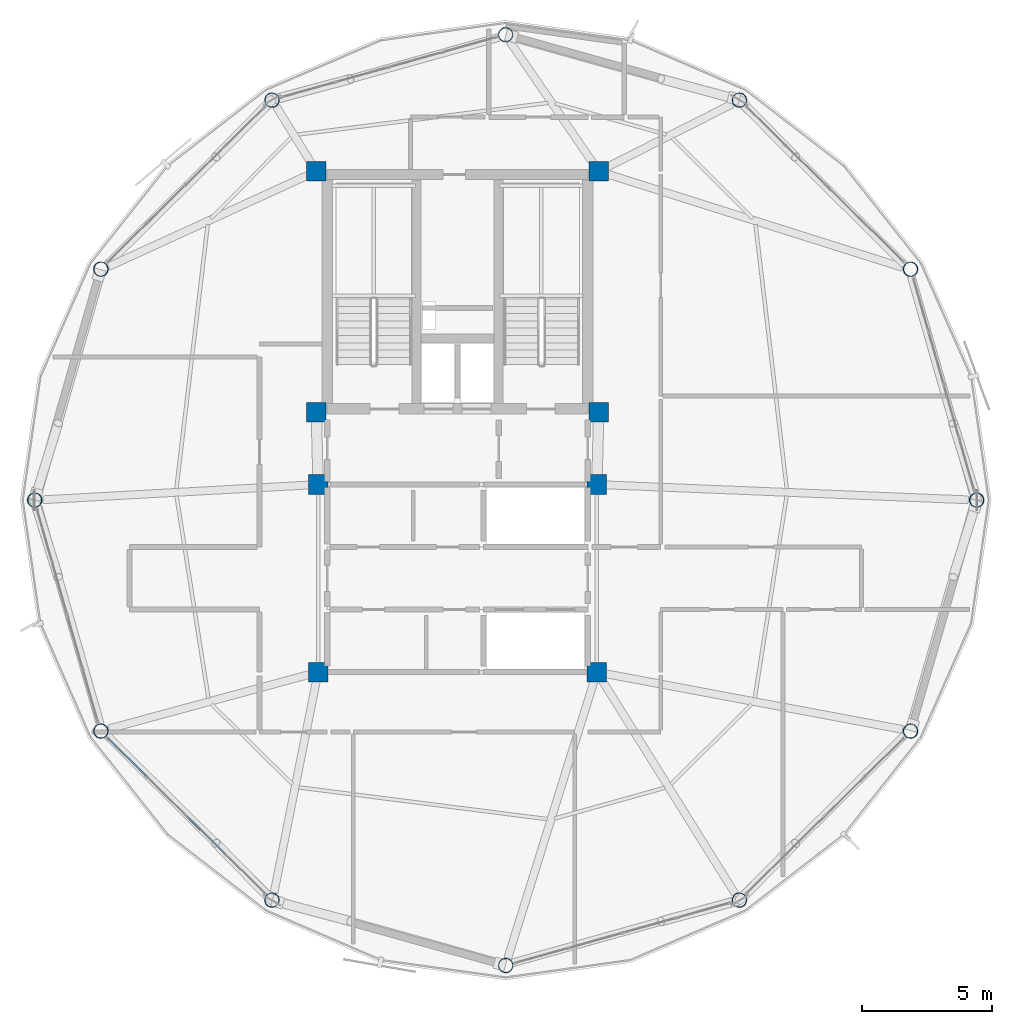
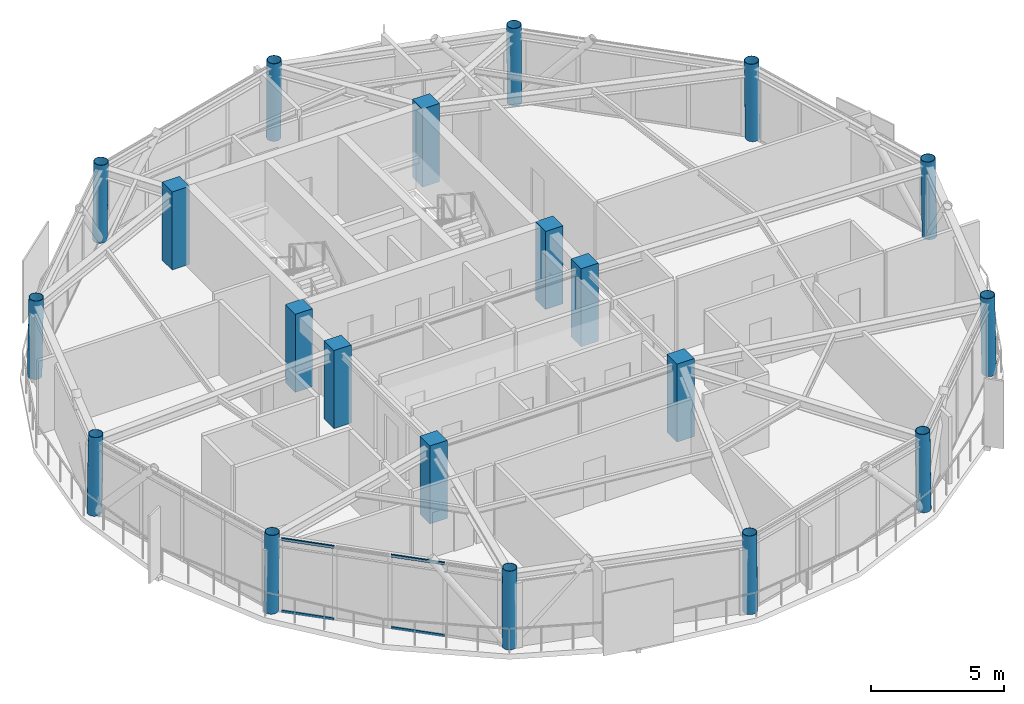
# One storey, part 1 of 26: 20 columns, 4 members, 1 element without a shape of its own.
"""IFC4 building model written with IfcOpenShell, lengths in metres."""

from ifc_helpers import new_model, si_unit, direction, frame, origin, origin_2d, place, context, subcontext, project, spatial, rectangle, hollow_rectangle, hollow_circle, extrude, material, layer, layer_set, material_profile, profile_set, type_object, element, aggregate, save


model = new_model("IFC4")

# Units and contexts
model_context = context("Model", 3, precision=1e-05, world=origin(), true_north=direction((0.0, 1.0)))
body_context = subcontext(model_context, "Body", "Model", "MODEL_VIEW")
ifc_project = project(units=[si_unit("LENGTHUNIT", "METRE"), si_unit("AREAUNIT", "SQUARE_METRE"), si_unit("VOLUMEUNIT", "CUBIC_METRE"), si_unit("PLANEANGLEUNIT", "RADIAN"), si_unit("MASSUNIT", "GRAM", prefix="KILO")], contexts=[model_context])

# Site, building, storey
site_placement = place(None, origin())
site = spatial("IfcSite", under=ifc_project, at=site_placement, CompositionType="ELEMENT")
building_placement = place(site_placement, origin())
building = spatial("IfcBuilding", under=site, at=building_placement, Name="Varnakorn Sky Granary", CompositionType="ELEMENT")
storey_placement = place(building_placement, frame((0.0, 0.0, 270.60009765625)))
storey = spatial("IfcBuildingStorey", under=building, at=storey_placement, Name="L69", CompositionType="ELEMENT", Elevation=270.60009765625)

# Columns
ifc_material_1 = material(Name="Steel S460M", Category="steel")
ifc_material_profile_1 = material_profile(ifc_material_1, hollow_circle(Radius=0.279541015625, WallThickness=0.02001953125, at=origin_2d()), Name="CHS 559x20")
ifc_profile_set_1 = profile_set([ifc_material_profile_1], Name="Steel S460M")
column_type_1 = type_object("IfcColumnType", Name="COL-DC-Z5", PredefinedType="COLUMN", material=ifc_profile_set_1)
column_1_placement = place(storey_placement, frame((22.93896484375, 0.0, 0.0), z_axis=(-0.018981760075, 0.0, 0.999819830162), x_axis=(0.0, -1.0, 0.0)))
element("IfcColumn", 1, at=column_1_placement, inside=storey, type_object=column_type_1, Name="Drum Perimeter Column DC01 L69", PredefinedType="COLUMN", context=body_context, shape_type="SweptSolid", body=[
    extrude(hollow_circle(Radius=0.279541015625, WallThickness=0.02001953125, at=origin_2d()), origin(), (0.0, 0.0, 1.0), 3.57568359375),
])
column_2_placement = place(storey_placement, frame((20.398681640625, 8.866943359375, 0.0), z_axis=(-0.01652422812, -0.004711453472, 0.999852365148), x_axis=(0.274196237732, -0.961673761321, 0.0)))
element("IfcColumn", 2, at=column_2_placement, inside=storey, type_object=column_type_1, Name="Drum Perimeter Column DC02 L69", PredefinedType="COLUMN", context=body_context, shape_type="SweptSolid", body=[
    extrude(hollow_circle(Radius=0.279541015625, WallThickness=0.02001953125, at=origin_2d()), origin(), (0.0, 0.0, 1.0), 3.575439453125),
])
for number, where, z_axis, x_axis, name in (
    (3, (13.826904296875, 15.358154296875, 0.0), (-0.00949183863, -0.008262679671, 0.999920813427), (0.656581650754, -0.754254954172, 0.0), "Drum Perimeter Column DC03 L69"),
    (4, (4.85009765625, 17.868896484375, 0.0), (0.0, -0.00949216266, 0.999954948409), (1.0, 0.0, 0.0), "Drum Perimeter Column DC04 L69"),
    (5, (-4.126953125, 15.358154296875, 0.0), (0.00949183863, -0.008262679671, 0.999920813427), (0.656581650754, 0.754254954172, 0.0), "Drum Perimeter Column DC05 L69"),
):
    element("IfcColumn", number, at=place(storey_placement, frame(where, z_axis=z_axis, x_axis=x_axis)), inside=storey, type_object=column_type_1, Name=name, PredefinedType="COLUMN", context=body_context, shape_type="SweptSolid", body=[
        extrude(hollow_circle(Radius=0.279541015625, WallThickness=0.02001953125, at=origin_2d()), origin(), (0.0, 0.0, 1.0), 3.5751953125),
    ])
column_3_placement = place(storey_placement, frame((-10.698486328125, 8.866943359375, 0.0), z_axis=(0.016455964715, -0.004711458777, 0.999853490958), x_axis=(0.275247949014, 0.961373271193, 0.0)))
element("IfcColumn", 6, at=column_3_placement, inside=storey, type_object=column_type_1, Name="Drum Perimeter Column DC06 L69", PredefinedType="COLUMN", context=body_context, shape_type="SweptSolid", body=[
    extrude(hollow_circle(Radius=0.279541015625, WallThickness=0.02001953125, at=origin_2d()), origin(), (0.0, 0.0, 1.0), 3.575439453125),
])
column_4_placement = place(storey_placement, frame((-13.239013671875, 0.0, 0.0), z_axis=(0.019050015053, 0.0, 0.999818531998), x_axis=(0.0, 1.0, 0.0)))
element("IfcColumn", 7, at=column_4_placement, inside=storey, type_object=column_type_1, Name="Drum Perimeter Column DC07 L69", PredefinedType="COLUMN", context=body_context, shape_type="SweptSolid", body=[
    extrude(hollow_circle(Radius=0.279541015625, WallThickness=0.02001953125, at=origin_2d()), origin(), (0.0, 0.0, 1.0), 3.57568359375),
])
column_5_placement = place(storey_placement, frame((-10.698486328125, -8.866943359375, 0.0), z_axis=(0.016455964715, 0.004711458777, 0.999853490958), x_axis=(-0.275247949014, 0.961373271193, 0.0)))
element("IfcColumn", 8, at=column_5_placement, inside=storey, type_object=column_type_1, Name="Drum Perimeter Column DC08 L69", PredefinedType="COLUMN", context=body_context, shape_type="SweptSolid", body=[
    extrude(hollow_circle(Radius=0.279541015625, WallThickness=0.02001953125, at=origin_2d()), origin(), (0.0, 0.0, 1.0), 3.575439453125),
])
for number, where, z_axis, x_axis, name in (
    (9, (-4.126953125, -15.358154296875, 0.0), (0.00949183863, 0.008262679671, 0.999920813427), (-0.656581650754, 0.754254954172, 0.0), "Drum Perimeter Column DC09 L69"),
    (10, (4.85009765625, -17.868896484375, 0.0), (0.0, 0.00949216266, 0.999954948409), (-1.0, 0.0, 0.0), "Drum Perimeter Column DC10 L69"),
    (11, (13.826904296875, -15.358154296875, 0.0), (-0.00949183863, 0.008262679671, 0.999920813427), (-0.656581650754, -0.754254954172, 0.0), "Drum Perimeter Column DC11 L69"),
):
    element("IfcColumn", number, at=place(storey_placement, frame(where, z_axis=z_axis, x_axis=x_axis)), inside=storey, type_object=column_type_1, Name=name, PredefinedType="COLUMN", context=body_context, shape_type="SweptSolid", body=[
        extrude(hollow_circle(Radius=0.279541015625, WallThickness=0.02001953125, at=origin_2d()), origin(), (0.0, 0.0, 1.0), 3.5751953125),
    ])
column_6_placement = place(storey_placement, frame((20.398681640625, -8.866943359375, 0.0), z_axis=(-0.01652422812, 0.004711453472, 0.999852365148), x_axis=(-0.274196237732, -0.961673761321, 0.0)))
element("IfcColumn", 12, at=column_6_placement, inside=storey, type_object=column_type_1, Name="Drum Perimeter Column DC12 L69", PredefinedType="COLUMN", context=body_context, shape_type="SweptSolid", body=[
    extrude(hollow_circle(Radius=0.279541015625, WallThickness=0.02001953125, at=origin_2d()), origin(), (0.0, 0.0, 1.0), 3.575439453125),
])
ifc_material_2 = material(Name="Concrete C50/60", Category="concrete")
ifc_material_profile_2 = material_profile(ifc_material_2, rectangle(XDim=0.75, YDim=0.75, at=origin_2d()), Name="RC 750x750")
ifc_profile_set_2 = profile_set([ifc_material_profile_2], Name="Concrete C50/60")
column_type_2 = type_object("IfcColumnType", Name="COL-MC-Z5", PredefinedType="COLUMN", material=ifc_profile_set_2)
for number, where, z_axis, x_axis, name in (
    (13, (-2.419921875, 12.6201171875, 0.0), (0.0, 0.0, 1.0), (1.0, 0.0, 0.0), "Backbone Mega-Column MC1 L69"),
    (14, (8.419921875, 12.6201171875, 0.0), (0.0, 0.0, 1.0), (1.0, 0.0, 0.0), "Backbone Mega-Column MC2 L69"),
    (15, (-2.419921875, 3.3798828125, 0.0), (0.0, 0.0, 1.0), (1.0, 0.0, 0.0), "Backbone Mega-Column MC3 L69"),
    (16, (8.419921875, 3.3798828125, 0.0), (0.0, 0.0, 1.0), (1.0, 0.0, 0.0), "Backbone Mega-Column MC4 L69"),
    (17, (-2.35009765625, 0.60009765625, 0.0), (0.0, 0.0, 1.0), (1.0, 0.0, 0.0), "Backbone Mega-Column MC5 L69"),
    (18, (8.35009765625, 0.60009765625, 0.0), (0.0, 0.0, 1.0), (1.0, 0.0, 0.0), "Backbone Mega-Column MC6 L69"),
    (19, (-2.35009765625, -6.60009765625, 0.0), (0.0, 0.0, 1.0), (1.0, 0.0, 0.0), "Backbone Mega-Column MC7 L69"),
    (20, (8.35009765625, -6.60009765625, 0.0), (0.0, 0.0, 1.0), (1.0, 0.0, 0.0), "Backbone Mega-Column MC8 L69"),
):
    element("IfcColumn", number, at=place(storey_placement, frame(where, z_axis=z_axis, x_axis=x_axis)), inside=storey, type_object=column_type_2, Name=name, PredefinedType="COLUMN", context=body_context, shape_type="SweptSolid", body=[
        extrude(rectangle(XDim=0.75, YDim=0.75, at=origin_2d()), origin(), (0.0, 0.0, 1.0), 3.574951171875),
    ])

# Curtain wall, members
ifc_material_3 = material(Name="Anodised Bronze Aluminium Alloy 6063-T6", Category="aluminium")
ifc_layer = layer(ifc_material_3, 0.159912109375, Name="Anodised Bronze Aluminium Alloy 6063-T6")
ifc_layer_set = layer_set([ifc_layer], Name="Anodised Bronze Aluminium Alloy 6063-T6")
curtain_wall_type = type_object("IfcCurtainWallType", Name="CW-OFF-1", PredefinedType="USERDEFINED", material=ifc_layer_set)
curtain_wall_placement = place(storey_placement, origin())
curtain_wall = element("IfcCurtainWall", 21, at=curtain_wall_placement, inside=storey, type_object=curtain_wall_type, Name="Unitised Curtain Wall CW6 CW-L69-B08", ObjectType="CURTAIN WALL", PredefinedType="USERDEFINED")
ifc_material_profile_3 = material_profile(ifc_material_3, hollow_rectangle(XDim=0.06494140625, YDim=0.1201171875, WallThickness=0.00341796875, at=origin_2d()), Name="ALU TRAN 65x120")
ifc_profile_set_3 = profile_set([ifc_material_profile_3], Name="Anodised Bronze Aluminium Alloy 6063-T6")
member_type = type_object("IfcMemberType", Name="CW-OFF-1-TRAN", PredefinedType="USERDEFINED", material=ifc_profile_set_3)
member_1_placement = place(storey_placement, frame((-5.913818359375, -13.59326171875, 0.032470703125), z_axis=(-0.711447975493, 0.702738769506, 0.0), x_axis=(-0.702738769506, -0.711447975493, 0.0)))
member_1 = element("IfcMember", 22, at=member_1_placement, type_object=member_type, Name="CW6 transom 2.1", ObjectType="TRANSOM", PredefinedType="USERDEFINED", context=body_context, shape_type="SweptSolid", body=[
    extrude(hollow_rectangle(XDim=0.06494140625, YDim=0.1201171875, WallThickness=0.00341796875, at=origin_2d()), origin(), (0.0, 0.0, 1.0), 2.074462890625),
])
member_2_placement = place(storey_placement, frame((-5.913818359375, -13.59326171875, 3.327392578125), z_axis=(-0.711447975493, 0.702738769506, 0.0), x_axis=(-0.702738769506, -0.711447975493, 0.0)))
member_2 = element("IfcMember", 23, at=member_2_placement, type_object=member_type, Name="CW6 transom 2.2", ObjectType="TRANSOM", PredefinedType="USERDEFINED", context=body_context, shape_type="SweptSolid", body=[
    extrude(hollow_rectangle(XDim=0.06494140625, YDim=0.1201171875, WallThickness=0.00341796875, at=origin_2d()), origin(), (0.0, 0.0, 1.0), 2.074462890625),
])
member_3_placement = place(storey_placement, frame((-8.9580078125, -10.586181640625, 0.032470703125), z_axis=(-0.711516757365, 0.702669128387, 0.0), x_axis=(-0.702669128387, -0.711516757365, 0.0)))
member_3 = element("IfcMember", 24, at=member_3_placement, type_object=member_type, Name="CW6 transom 4.1", ObjectType="TRANSOM", PredefinedType="USERDEFINED", context=body_context, shape_type="SweptSolid", body=[
    extrude(hollow_rectangle(XDim=0.06494140625, YDim=0.1201171875, WallThickness=0.00341796875, at=origin_2d()), origin(), (0.0, 0.0, 1.0), 2.0419921875),
])
member_4_placement = place(storey_placement, frame((-8.9580078125, -10.586181640625, 3.327392578125), z_axis=(-0.711516757365, 0.702669128387, 0.0), x_axis=(-0.702669128387, -0.711516757365, 0.0)))
member_4 = element("IfcMember", 25, at=member_4_placement, type_object=member_type, Name="CW6 transom 4.2", ObjectType="TRANSOM", PredefinedType="USERDEFINED", context=body_context, shape_type="SweptSolid", body=[
    extrude(hollow_rectangle(XDim=0.06494140625, YDim=0.1201171875, WallThickness=0.00341796875, at=origin_2d()), origin(), (0.0, 0.0, 1.0), 2.0419921875),
])
aggregate(curtain_wall, [member_1, member_2, member_3, member_4])

save(model, "model.ifc")
